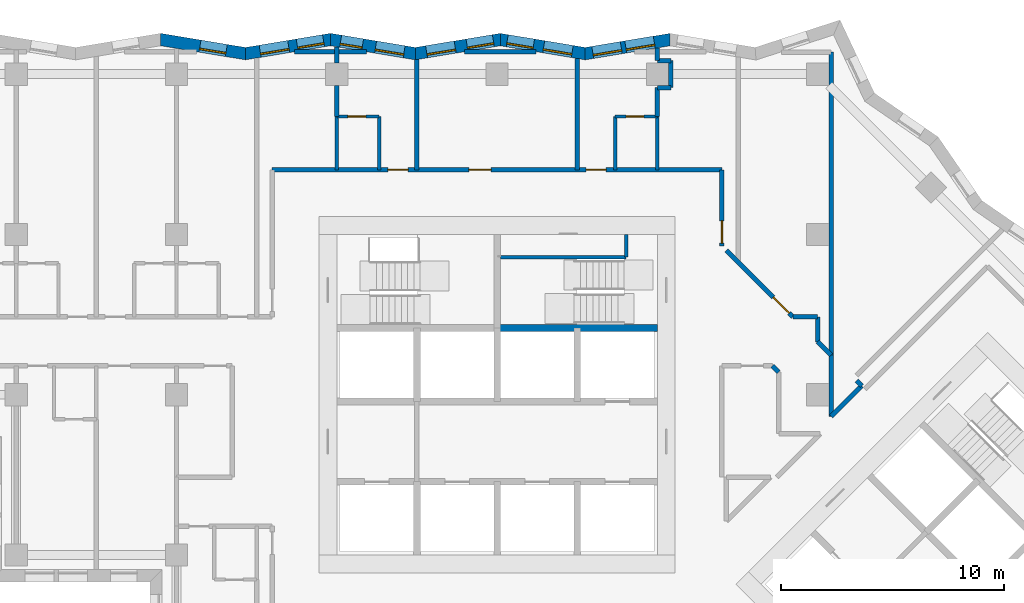
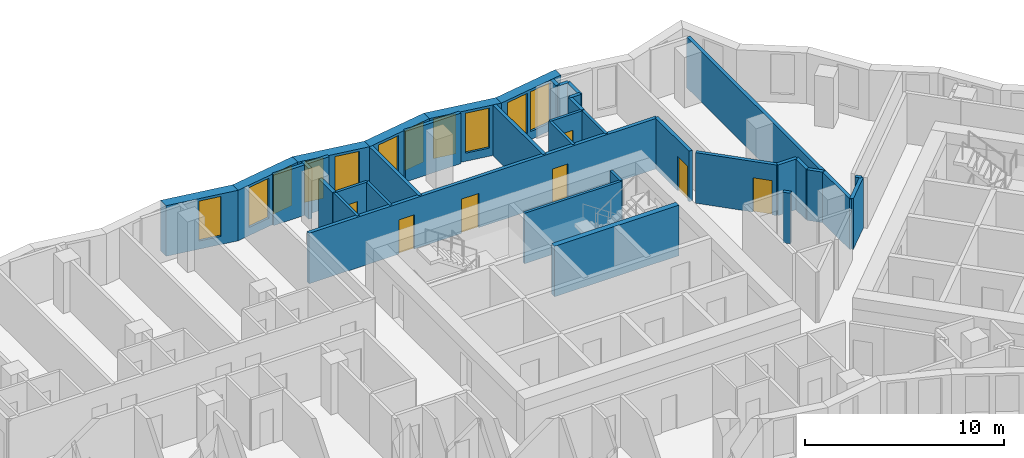
# One storey, part 7 of 14: 37 walls, 11 windows, 7 doors, 18 openings.
"""IFC4 building model written with IfcOpenShell, lengths in metres."""

from ifc_helpers import new_model, si_unit, direction, frame, frame_2d, origin, place, context, subcontext, project, spatial, polyline, rectangle, outline, extrude, material, layer, layer_set, type_object, element, fill, save


model = new_model("IFC4")

# Units and contexts
model_context = context("Model", 3, precision=1e-05, world=origin(), true_north=direction((0.0, 1.0)))
body_context = subcontext(model_context, "Body", "Model", "MODEL_VIEW")
ifc_project = project(units=[si_unit("LENGTHUNIT", "METRE"), si_unit("AREAUNIT", "SQUARE_METRE"), si_unit("VOLUMEUNIT", "CUBIC_METRE"), si_unit("PLANEANGLEUNIT", "RADIAN"), si_unit("MASSUNIT", "GRAM", prefix="KILO")], contexts=[model_context])

# Site, building, storey
site_placement = place(None, origin())
site = spatial("IfcSite", under=ifc_project, at=site_placement, CompositionType="ELEMENT")
building_placement = place(site_placement, origin())
building = spatial("IfcBuilding", under=site, at=building_placement, Name="Windrow Commons", CompositionType="ELEMENT")
storey_placement = place(building_placement, frame((0.0, 0.0, 118.6)))
storey = spatial("IfcBuildingStorey", under=building, at=storey_placement, Name="L32", CompositionType="ELEMENT", Elevation=118.6)

# Wall, openings, windows
ifc_material_1 = material(Name="Brick masonry, red clay brick", Category="masonry")
ifc_layer_1 = layer(ifc_material_1, 0.55)
ifc_layer_set_1 = layer_set([ifc_layer_1], Name="Brick facade wall 550")
wall_type_1 = type_object("IfcWallType", Name="Brick facade wall 550", PredefinedType="SOLIDWALL", material=ifc_layer_set_1)
wall_1_placement = place(storey_placement, frame((72.574, 73.5542, 0.0), z_axis=(0.0, 0.0, 1.0), x_axis=(-0.9865110911, -0.1636944324, 0.0)))
wall_1 = element("IfcWall", 1, at=wall_1_placement, inside=storey, type_object=wall_type_1, Name="Brick facade wall L32 23", PredefinedType="SOLIDWALL", context=body_context, shape_type="SweptSolid", body=[
    extrude(outline(polyline([(-0.0456, -0.275), (3.8213, -0.275), (3.9126, 0.275), (0.0456, 0.275), (-0.0456, -0.275)])), origin(), (0.0, 0.0, 1.0), 3.1),
])
opening_1_placement = place(wall_1_placement, frame((0.7244, 0.0, 0.5)))
opening_1 = element("IfcOpeningElement", 2, at=opening_1_placement, cuts=wall_1, Name="Opening W1P", PredefinedType="OPENING", context=body_context, shape_type="SweptSolid", body=[
    extrude(rectangle(XDim=1.3, YDim=2.45, at=frame_2d((0.65, 1.225))), frame((0.0, 0.285, 0.0), z_axis=(0.0, -1.0, 0.0), x_axis=(1.0, 0.0, 0.0)), (0.0, 0.0, 1.0), 0.57),
])
opening_2_placement = place(wall_1_placement, frame((2.2244, 0.0, 0.5)))
opening_2 = element("IfcOpeningElement", 3, at=opening_2_placement, cuts=wall_1, Name="Opening W1P", PredefinedType="OPENING", context=body_context, shape_type="SweptSolid", body=[
    extrude(rectangle(XDim=1.3, YDim=2.45, at=frame_2d((0.65, 1.225))), frame((0.0, 0.285, 0.0), z_axis=(0.0, -1.0, 0.0), x_axis=(1.0, 0.0, 0.0)), (0.0, 0.0, 1.0), 0.57),
])
ifc_material_2 = material(Name="Clear float glass in anodised aluminium frame", Category="aluminium")
window_type_1 = type_object("IfcWindowType", Name="Window W1P pair 1300x2450", PartitioningType="SINGLE_PANEL", PredefinedType="WINDOW", material=ifc_material_2)
window_1_placement = place(opening_1_placement, origin())
window_1 = element("IfcWindow", 4, at=window_1_placement, inside=storey, type_object=window_type_1, Name="Window L32 23.1A", OverallHeight=2.45, OverallWidth=1.3, PartitioningType="SINGLE_PANEL", PredefinedType="WINDOW", context=body_context, shape_type="SweptSolid", body=[
    extrude(rectangle(XDim=1.3, YDim=2.45, at=frame_2d((0.65, 1.225))), frame((0.0, 0.155, 0.0), z_axis=(0.0, -1.0, 0.0), x_axis=(1.0, 0.0, 0.0)), (0.0, 0.0, 1.0), 0.06),
])
fill(opening_1, window_1)
window_2_placement = place(opening_2_placement, origin())
window_2 = element("IfcWindow", 5, at=window_2_placement, inside=storey, type_object=window_type_1, Name="Window L32 23.1B", OverallHeight=2.45, OverallWidth=1.3, PartitioningType="SINGLE_PANEL", PredefinedType="WINDOW", context=body_context, shape_type="SweptSolid", body=[
    extrude(rectangle(XDim=1.3, YDim=2.45, at=frame_2d((0.65, 1.225))), frame((0.0, 0.155, 0.0), z_axis=(0.0, -1.0, 0.0), x_axis=(1.0, 0.0, 0.0)), (0.0, 0.0, 1.0), 0.06),
])
fill(opening_2, window_2)

wall_2_placement = place(storey_placement, frame((68.7592, 72.9212, 0.0), z_axis=(0.0, 0.0, 1.0), x_axis=(-0.9865110911, 0.1636944324, 0.0)))
wall_2 = element("IfcWall", 6, at=wall_2_placement, inside=storey, type_object=wall_type_1, Name="Brick facade wall L32 24", PredefinedType="SOLIDWALL", context=body_context, shape_type="SweptSolid", body=[
    extrude(outline(polyline([(0.0456, -0.275), (3.9126, -0.275), (3.8213, 0.275), (-0.0456, 0.275), (0.0456, -0.275)])), origin(), (0.0, 0.0, 1.0), 3.1),
])
opening_3_placement = place(wall_2_placement, frame((0.5927, 0.0, 0.5)))
opening_3 = element("IfcOpeningElement", 7, at=opening_3_placement, cuts=wall_2, Name="Opening W1P", PredefinedType="OPENING", context=body_context, shape_type="SweptSolid", body=[
    extrude(rectangle(XDim=1.3, YDim=2.45, at=frame_2d((0.65, 1.225))), frame((0.0, 0.285, 0.0), z_axis=(0.0, -1.0, 0.0), x_axis=(1.0, 0.0, 0.0)), (0.0, 0.0, 1.0), 0.57),
])
opening_4_placement = place(wall_2_placement, frame((2.3525, 0.0, 0.5)))
opening_4 = element("IfcOpeningElement", 8, at=opening_4_placement, cuts=wall_2, Name="Opening W7D", PredefinedType="OPENING", context=body_context, shape_type="SweptSolid", body=[
    extrude(rectangle(XDim=1.2, YDim=2.45, at=frame_2d((0.6, 1.225))), frame((0.0, 0.285, 0.0), z_axis=(0.0, -1.0, 0.0), x_axis=(1.0, 0.0, 0.0)), (0.0, 0.0, 1.0), 0.57),
])
window_3_placement = place(opening_3_placement, origin())
window_3 = element("IfcWindow", 9, at=window_3_placement, inside=storey, type_object=window_type_1, Name="Window L32 24.1A", OverallHeight=2.45, OverallWidth=1.3, PartitioningType="SINGLE_PANEL", PredefinedType="WINDOW", context=body_context, shape_type="SweptSolid", body=[
    extrude(rectangle(XDim=1.3, YDim=2.45, at=frame_2d((0.65, 1.225))), frame((0.0, 0.155, 0.0), z_axis=(0.0, -1.0, 0.0), x_axis=(1.0, 0.0, 0.0)), (0.0, 0.0, 1.0), 0.06),
])
fill(opening_3, window_3)
ifc_material_3 = material(Name="Clear float glass in anodised aluminium frame", Category="aluminium")
window_type_2 = type_object("IfcWindowType", Name="Window W7 notch 1200x2450", PartitioningType="SINGLE_PANEL", PredefinedType="WINDOW", material=ifc_material_3)
window_4_placement = place(opening_4_placement, origin())
window_4 = element("IfcWindow", 10, at=window_4_placement, inside=storey, type_object=window_type_2, Name="Window L32 24.1BA", OverallHeight=2.45, OverallWidth=1.2, PartitioningType="SINGLE_PANEL", PredefinedType="WINDOW", context=body_context, shape_type="SweptSolid", body=[
    extrude(rectangle(XDim=1.2, YDim=2.45, at=frame_2d((0.6, 1.225))), frame((0.0, 0.155, 0.0), z_axis=(0.0, -1.0, 0.0), x_axis=(1.0, 0.0, 0.0)), (0.0, 0.0, 1.0), 0.06),
])
fill(opening_4, window_4)

wall_3_placement = place(storey_placement, frame((64.9444, 73.5542, 0.0), z_axis=(0.0, 0.0, 1.0), x_axis=(-0.9865103981, -0.1636986085, 0.0)))
wall_3 = element("IfcWall", 11, at=wall_3_placement, inside=storey, type_object=wall_type_1, Name="Brick facade wall L32 25", PredefinedType="SOLIDWALL", context=body_context, shape_type="SweptSolid", body=[
    extrude(outline(polyline([(-0.0456, -0.275), (3.8213, -0.275), (3.9126, 0.275), (0.0456, 0.275), (-0.0456, -0.275)])), origin(), (0.0, 0.0, 1.0), 3.1),
])
opening_5_placement = place(wall_3_placement, frame((2.0563, 0.0, 0.5)))
opening_5 = element("IfcOpeningElement", 12, at=opening_5_placement, cuts=wall_3, Name="Opening W1P", PredefinedType="OPENING", context=body_context, shape_type="SweptSolid", body=[
    extrude(rectangle(XDim=1.3, YDim=2.45, at=frame_2d((0.65, 1.225))), frame((0.0, 0.285, 0.0), z_axis=(0.0, -1.0, 0.0), x_axis=(1.0, 0.0, 0.0)), (0.0, 0.0, 1.0), 0.57),
])
opening_6_placement = place(wall_3_placement, frame((0.3145, 0.0, 0.5)))
opening_6 = element("IfcOpeningElement", 13, at=opening_6_placement, cuts=wall_3, Name="Opening W7D", PredefinedType="OPENING", context=body_context, shape_type="SweptSolid", body=[
    extrude(rectangle(XDim=1.2, YDim=2.45, at=frame_2d((0.6, 1.225))), frame((0.0, 0.285, 0.0), z_axis=(0.0, -1.0, 0.0), x_axis=(1.0, 0.0, 0.0)), (0.0, 0.0, 1.0), 0.57),
])
window_5_placement = place(opening_5_placement, origin())
window_5 = element("IfcWindow", 14, at=window_5_placement, inside=storey, type_object=window_type_1, Name="Window L32 25.1B", OverallHeight=2.45, OverallWidth=1.3, PartitioningType="SINGLE_PANEL", PredefinedType="WINDOW", context=body_context, shape_type="SweptSolid", body=[
    extrude(rectangle(XDim=1.3, YDim=2.45, at=frame_2d((0.65, 1.225))), frame((0.0, 0.155, 0.0), z_axis=(0.0, -1.0, 0.0), x_axis=(1.0, 0.0, 0.0)), (0.0, 0.0, 1.0), 0.06),
])
fill(opening_5, window_5)
window_6_placement = place(opening_6_placement, origin())
window_6 = element("IfcWindow", 15, at=window_6_placement, inside=storey, type_object=window_type_2, Name="Window L32 25.1AA", OverallHeight=2.45, OverallWidth=1.2, PartitioningType="SINGLE_PANEL", PredefinedType="WINDOW", context=body_context, shape_type="SweptSolid", body=[
    extrude(rectangle(XDim=1.2, YDim=2.45, at=frame_2d((0.6, 1.225))), frame((0.0, 0.155, 0.0), z_axis=(0.0, -1.0, 0.0), x_axis=(1.0, 0.0, 0.0)), (0.0, 0.0, 1.0), 0.06),
])
fill(opening_6, window_6)

wall_4_placement = place(storey_placement, frame((61.1297, 72.9212, 0.0), z_axis=(0.0, 0.0, 1.0), x_axis=(-0.9865110911, 0.1636944324, 0.0)))
wall_4 = element("IfcWall", 16, at=wall_4_placement, inside=storey, type_object=wall_type_1, Name="Brick facade wall L32 26", PredefinedType="SOLIDWALL", context=body_context, shape_type="SweptSolid", body=[
    extrude(outline(polyline([(0.0456, -0.275), (3.9126, -0.275), (3.8213, 0.275), (-0.0456, 0.275), (0.0456, -0.275)])), origin(), (0.0, 0.0, 1.0), 3.1),
])
opening_7_placement = place(wall_4_placement, frame((0.5107, 0.0, 0.5)))
opening_7 = element("IfcOpeningElement", 17, at=opening_7_placement, cuts=wall_4, Name="Opening W1P", PredefinedType="OPENING", context=body_context, shape_type="SweptSolid", body=[
    extrude(rectangle(XDim=1.3, YDim=2.45, at=frame_2d((0.65, 1.225))), frame((0.0, 0.285, 0.0), z_axis=(0.0, -1.0, 0.0), x_axis=(1.0, 0.0, 0.0)), (0.0, 0.0, 1.0), 0.57),
])
opening_8_placement = place(wall_4_placement, frame((2.4025, 0.0, 0.45)))
opening_8 = element("IfcOpeningElement", 18, at=opening_8_placement, cuts=wall_4, Name="Opening W1S", PredefinedType="OPENING", context=body_context, shape_type="SweptSolid", body=[
    extrude(rectangle(XDim=1.0, YDim=2.5, at=frame_2d((0.5, 1.25))), frame((0.0, 0.285, 0.0), z_axis=(0.0, -1.0, 0.0), x_axis=(1.0, 0.0, 0.0)), (0.0, 0.0, 1.0), 0.57),
])
window_7_placement = place(opening_7_placement, origin())
window_7 = element("IfcWindow", 19, at=window_7_placement, inside=storey, type_object=window_type_1, Name="Window L32 26.1A", OverallHeight=2.45, OverallWidth=1.3, PartitioningType="SINGLE_PANEL", PredefinedType="WINDOW", context=body_context, shape_type="SweptSolid", body=[
    extrude(rectangle(XDim=1.3, YDim=2.45, at=frame_2d((0.65, 1.225))), frame((0.0, 0.155, 0.0), z_axis=(0.0, -1.0, 0.0), x_axis=(1.0, 0.0, 0.0)), (0.0, 0.0, 1.0), 0.06),
])
fill(opening_7, window_7)
ifc_material_4 = material(Name="Clear float glass in anodised aluminium frame", Category="aluminium")
window_type_3 = type_object("IfcWindowType", Name="Window W1S slit 1000x2500", PartitioningType="SINGLE_PANEL", PredefinedType="WINDOW", material=ifc_material_4)
window_8_placement = place(opening_8_placement, origin())
window_8 = element("IfcWindow", 20, at=window_8_placement, inside=storey, type_object=window_type_3, Name="Window L32 26.1BA", OverallHeight=2.5, OverallWidth=1.0, PartitioningType="SINGLE_PANEL", PredefinedType="WINDOW", context=body_context, shape_type="SweptSolid", body=[
    extrude(rectangle(XDim=1.0, YDim=2.5, at=frame_2d((0.5, 1.25))), frame((0.0, 0.155, 0.0), z_axis=(0.0, -1.0, 0.0), x_axis=(1.0, 0.0, 0.0)), (0.0, 0.0, 1.0), 0.06),
])
fill(opening_8, window_8)

wall_5_placement = place(storey_placement, frame((57.3149, 73.5542, 0.0), z_axis=(0.0, 0.0, 1.0), x_axis=(-0.9865110911, -0.1636944324, 0.0)))
wall_5 = element("IfcWall", 21, at=wall_5_placement, inside=storey, type_object=wall_type_1, Name="Brick facade wall L32 27", PredefinedType="SOLIDWALL", context=body_context, shape_type="SweptSolid", body=[
    extrude(outline(polyline([(-0.0456, -0.275), (3.8213, -0.275), (3.9126, 0.275), (0.0456, 0.275), (-0.0456, -0.275)])), origin(), (0.0, 0.0, 1.0), 3.1),
])
opening_9_placement = place(wall_5_placement, frame((1.9029, 0.0, 0.5)))
opening_9 = element("IfcOpeningElement", 22, at=opening_9_placement, cuts=wall_5, Name="Opening W1P", PredefinedType="OPENING", context=body_context, shape_type="SweptSolid", body=[
    extrude(rectangle(XDim=1.3, YDim=2.45, at=frame_2d((0.65, 1.225))), frame((0.0, 0.285, 0.0), z_axis=(0.0, -1.0, 0.0), x_axis=(1.0, 0.0, 0.0)), (0.0, 0.0, 1.0), 0.57),
])
opening_10_placement = place(wall_5_placement, frame((0.3145, 0.0, 0.5)))
opening_10 = element("IfcOpeningElement", 23, at=opening_10_placement, cuts=wall_5, Name="Opening W7D", PredefinedType="OPENING", context=body_context, shape_type="SweptSolid", body=[
    extrude(rectangle(XDim=1.2, YDim=2.45, at=frame_2d((0.6, 1.225))), frame((0.0, 0.285, 0.0), z_axis=(0.0, -1.0, 0.0), x_axis=(1.0, 0.0, 0.0)), (0.0, 0.0, 1.0), 0.57),
])
window_9_placement = place(opening_9_placement, origin())
window_9 = element("IfcWindow", 24, at=window_9_placement, inside=storey, type_object=window_type_1, Name="Window L32 27.1B", OverallHeight=2.45, OverallWidth=1.3, PartitioningType="SINGLE_PANEL", PredefinedType="WINDOW", context=body_context, shape_type="SweptSolid", body=[
    extrude(rectangle(XDim=1.3, YDim=2.45, at=frame_2d((0.65, 1.225))), frame((0.0, 0.155, 0.0), z_axis=(0.0, -1.0, 0.0), x_axis=(1.0, 0.0, 0.0)), (0.0, 0.0, 1.0), 0.06),
])
fill(opening_9, window_9)
window_10_placement = place(opening_10_placement, origin())
window_10 = element("IfcWindow", 25, at=window_10_placement, inside=storey, type_object=window_type_2, Name="Window L32 27.1AA", OverallHeight=2.45, OverallWidth=1.2, PartitioningType="SINGLE_PANEL", PredefinedType="WINDOW", context=body_context, shape_type="SweptSolid", body=[
    extrude(rectangle(XDim=1.2, YDim=2.45, at=frame_2d((0.6, 1.225))), frame((0.0, 0.155, 0.0), z_axis=(0.0, -1.0, 0.0), x_axis=(1.0, 0.0, 0.0)), (0.0, 0.0, 1.0), 0.06),
])
fill(opening_10, window_10)

# Wall, opening, window
wall_6_placement = place(storey_placement, frame((53.5001, 72.9212, 0.0), z_axis=(0.0, 0.0, 1.0), x_axis=(-0.9865110911, 0.1636944324, 0.0)))
wall_6 = element("IfcWall", 26, at=wall_6_placement, inside=storey, type_object=wall_type_1, Name="Brick facade wall L32 28", PredefinedType="SOLIDWALL", context=body_context, shape_type="SweptSolid", body=[
    extrude(outline(polyline([(0.0456, -0.275), (3.9126, -0.275), (3.8213, 0.275), (-0.0456, 0.275), (0.0456, -0.275)])), origin(), (0.0, 0.0, 1.0), 3.1),
])
opening_11_placement = place(wall_6_placement, frame((0.8712, 0.0, 0.5)))
opening_11 = element("IfcOpeningElement", 27, at=opening_11_placement, cuts=wall_6, Name="Opening W7D", PredefinedType="OPENING", context=body_context, shape_type="SweptSolid", body=[
    extrude(rectangle(XDim=1.2, YDim=2.45, at=frame_2d((0.6, 1.225))), frame((0.0, 0.285, 0.0), z_axis=(0.0, -1.0, 0.0), x_axis=(1.0, 0.0, 0.0)), (0.0, 0.0, 1.0), 0.57),
])
window_11_placement = place(opening_11_placement, origin())
window_11 = element("IfcWindow", 28, at=window_11_placement, inside=storey, type_object=window_type_2, Name="Window L32 28.1", OverallHeight=2.45, OverallWidth=1.2, PartitioningType="SINGLE_PANEL", PredefinedType="WINDOW", context=body_context, shape_type="SweptSolid", body=[
    extrude(rectangle(XDim=1.2, YDim=2.45, at=frame_2d((0.6, 1.225))), frame((0.0, 0.155, 0.0), z_axis=(0.0, -1.0, 0.0), x_axis=(1.0, 0.0, 0.0)), (0.0, 0.0, 1.0), 0.06),
])
fill(opening_11, window_11)

# Wall, openings, doors
ifc_material_5 = material(Name="Blockwork partition", Category="masonry")
ifc_layer_2 = layer(ifc_material_5, 0.2)
ifc_layer_set_2 = layer_set([ifc_layer_2], Name="IW-CORRIDOR-200")
wall_type_2 = type_object("IfcWallType", Name="IW-CORRIDOR-200", PredefinedType="PARTITIONING", material=ifc_layer_set_2)
wall_7_placement = place(storey_placement, frame((54.7, 67.7, 0.0), z_axis=(0.0, 0.0, 1.0), x_axis=(1.0, 0.0, 0.0)))
wall_7 = element("IfcWall", 29, at=wall_7_placement, inside=storey, type_object=wall_type_2, Name="W-L32-W002", PredefinedType="PARTITIONING", context=body_context, shape_type="SweptSolid", body=[
    extrude(rectangle(XDim=20.2, YDim=0.2, at=frame_2d((10.1, 0.0))), origin(), (0.0, 0.0, 1.0), 3.1),
])
opening_12_placement = place(wall_7_placement, frame((5.2, 0.0, 0.0)))
opening_12 = element("IfcOpeningElement", 30, at=opening_12_placement, cuts=wall_7, Name="Opening D109S", PredefinedType="OPENING", context=body_context, shape_type="SweptSolid", body=[
    extrude(rectangle(XDim=0.9, YDim=2.1, at=frame_2d((0.45, 1.05))), frame((0.0, 0.11, 0.0), z_axis=(0.0, -1.0, 0.0), x_axis=(1.0, 0.0, 0.0)), (0.0, 0.0, 1.0), 0.22),
])
opening_13_placement = place(wall_7_placement, frame((8.8375, 0.0, 0.0)))
opening_13 = element("IfcOpeningElement", 31, at=opening_13_placement, cuts=wall_7, Name="Opening D310F", PredefinedType="OPENING", context=body_context, shape_type="SweptSolid", body=[
    extrude(rectangle(XDim=1.0, YDim=2.1, at=frame_2d((0.5, 1.05))), frame((0.0, 0.11, 0.0), z_axis=(0.0, -1.0, 0.0), x_axis=(1.0, 0.0, 0.0)), (0.0, 0.0, 1.0), 0.22),
])
opening_14_placement = place(wall_7_placement, frame((14.1, 0.0, 0.0)))
opening_14 = element("IfcOpeningElement", 32, at=opening_14_placement, cuts=wall_7, Name="Opening D109S", PredefinedType="OPENING", context=body_context, shape_type="SweptSolid", body=[
    extrude(rectangle(XDim=0.9, YDim=2.1, at=frame_2d((0.45, 1.05))), frame((0.0, 0.11, 0.0), z_axis=(0.0, -1.0, 0.0), x_axis=(1.0, 0.0, 0.0)), (0.0, 0.0, 1.0), 0.22),
])
ifc_material_6 = material(Name="Timber door leaf", Category="wood")
door_type_1 = type_object("IfcDoorType", Name="DT-AMENITY-1000", OperationType="SINGLE_SWING_LEFT", PredefinedType="DOOR", material=ifc_material_6)
door_1_placement = place(opening_13_placement, origin())
door_1 = element("IfcDoor", 33, at=door_1_placement, inside=storey, type_object=door_type_1, Name="D-L32-D040", OperationType="SINGLE_SWING_LEFT", OverallHeight=2.1, OverallWidth=1.0, PredefinedType="DOOR", context=body_context, shape_type="SweptSolid", body=[
    extrude(rectangle(XDim=1.0, YDim=2.1, at=frame_2d((0.5, 1.05))), frame((0.0, 0.025, 0.0), z_axis=(0.0, -1.0, 0.0), x_axis=(1.0, 0.0, 0.0)), (0.0, 0.0, 1.0), 0.05),
])
fill(opening_13, door_1)
ifc_material_7 = material(Name="Timber door leaf", Category="wood")
door_type_2 = type_object("IfcDoorType", Name="DT-BEDROOM-900", OperationType="SINGLE_SWING_LEFT", PredefinedType="DOOR", material=ifc_material_7)
door_2_placement = place(opening_12_placement, origin())
door_2 = element("IfcDoor", 34, at=door_2_placement, inside=storey, type_object=door_type_2, Name="D-L32-D038", OperationType="SINGLE_SWING_RIGHT", OverallHeight=2.1, OverallWidth=0.9, PredefinedType="DOOR", context=body_context, shape_type="SweptSolid", body=[
    extrude(rectangle(XDim=0.9, YDim=2.1, at=frame_2d((0.45, 1.05))), frame((0.0, 0.025, 0.0), z_axis=(0.0, -1.0, 0.0), x_axis=(1.0, 0.0, 0.0)), (0.0, 0.0, 1.0), 0.05),
])
fill(opening_12, door_2)
door_3_placement = place(opening_14_placement, origin())
door_3 = element("IfcDoor", 35, at=door_3_placement, inside=storey, type_object=door_type_2, Name="D-L32-D041", OperationType="SINGLE_SWING_LEFT", OverallHeight=2.1, OverallWidth=0.9, PredefinedType="DOOR", context=body_context, shape_type="SweptSolid", body=[
    extrude(rectangle(XDim=0.9, YDim=2.1, at=frame_2d((0.45, 1.05))), frame((0.0, 0.025, 0.0), z_axis=(0.0, -1.0, 0.0), x_axis=(1.0, 0.0, 0.0)), (0.0, 0.0, 1.0), 0.05),
])
fill(opening_14, door_3)

# Wall, opening, door
wall_8_placement = place(storey_placement, frame((75.1034, 64.0834, 0.0), z_axis=(0.0, 0.0, 1.0), x_axis=(0.7071067812, -0.7071067812, 0.0)))
wall_8 = element("IfcWall", 36, at=wall_8_placement, inside=storey, type_object=wall_type_2, Name="W-L32-W049", PredefinedType="PARTITIONING", context=body_context, shape_type="SweptSolid", body=[
    extrude(rectangle(XDim=4.2144, YDim=0.2, at=frame_2d((2.1072, 0.0))), origin(), (0.0, 0.0, 1.0), 3.1),
])
opening_15_placement = place(wall_8_placement, frame((2.9794, 0.0, 0.0)))
opening_15 = element("IfcOpeningElement", 37, at=opening_15_placement, cuts=wall_8, Name="Opening D310F", PredefinedType="OPENING", context=body_context, shape_type="SweptSolid", body=[
    extrude(rectangle(XDim=1.0, YDim=2.1, at=frame_2d((0.5, 1.05))), frame((0.0, 0.11, 0.0), z_axis=(0.0, -1.0, 0.0), x_axis=(1.0, 0.0, 0.0)), (0.0, 0.0, 1.0), 0.22),
])
door_4_placement = place(opening_15_placement, origin())
door_4 = element("IfcDoor", 38, at=door_4_placement, inside=storey, type_object=door_type_1, Name="D-L32-D044", OperationType="SINGLE_SWING_LEFT", OverallHeight=2.1, OverallWidth=1.0, PredefinedType="DOOR", context=body_context, shape_type="SweptSolid", body=[
    extrude(rectangle(XDim=1.0, YDim=2.1, at=frame_2d((0.5, 1.05))), frame((0.0, 0.025, 0.0), z_axis=(0.0, -1.0, 0.0), x_axis=(1.0, 0.0, 0.0)), (0.0, 0.0, 1.0), 0.05),
])
fill(opening_15, door_4)

wall_9_placement = place(storey_placement, frame((74.9, 64.28, 0.0), z_axis=(0.0, 0.0, 1.0), x_axis=(0.0, 1.0, 0.0)))
wall_9 = element("IfcWall", 39, at=wall_9_placement, inside=storey, type_object=wall_type_2, Name="W-L32-W056", PredefinedType="PARTITIONING", context=body_context, shape_type="SweptSolid", body=[
    extrude(rectangle(XDim=3.42, YDim=0.2, at=frame_2d((1.71, 0.0))), origin(), (0.0, 0.0, 1.0), 3.1),
])
opening_16_placement = place(wall_9_placement, frame((0.1296, 0.0, 0.0)))
opening_16 = element("IfcOpeningElement", 40, at=opening_16_placement, cuts=wall_9, Name="Opening D310F", PredefinedType="OPENING", context=body_context, shape_type="SweptSolid", body=[
    extrude(rectangle(XDim=1.0, YDim=2.1, at=frame_2d((0.5, 1.05))), frame((0.0, 0.11, 0.0), z_axis=(0.0, -1.0, 0.0), x_axis=(1.0, 0.0, 0.0)), (0.0, 0.0, 1.0), 0.22),
])
door_5_placement = place(opening_16_placement, origin())
door_5 = element("IfcDoor", 41, at=door_5_placement, inside=storey, type_object=door_type_1, Name="D-L32-D043", OperationType="SINGLE_SWING_RIGHT", OverallHeight=2.1, OverallWidth=1.0, PredefinedType="DOOR", context=body_context, shape_type="SweptSolid", body=[
    extrude(rectangle(XDim=1.0, YDim=2.1, at=frame_2d((0.5, 1.05))), frame((0.0, 0.025, 0.0), z_axis=(0.0, -1.0, 0.0), x_axis=(1.0, 0.0, 0.0)), (0.0, 0.0, 1.0), 0.05),
])
fill(opening_16, door_5)

# Walls
wall_10_placement = place(storey_placement, frame((79.8, 56.622, 0.0), z_axis=(0.0, 0.0, 1.0), x_axis=(0.0, 1.0, 0.0)))
element("IfcWall", 42, at=wall_10_placement, inside=storey, type_object=wall_type_2, Name="W-L32-W076", PredefinedType="PARTITIONING", context=body_context, shape_type="SweptSolid", body=[
    extrude(rectangle(XDim=2.758, YDim=0.2, at=frame_2d((1.379, 0.0))), origin(), (0.0, 0.0, 1.0), 3.1),
])
wall_11_placement = place(storey_placement, frame((79.8015, 56.6225, 0.0), z_axis=(0.0, 0.0, 1.0), x_axis=(0.7071067812, 0.7071067812, 0.0)))
element("IfcWall", 43, at=wall_11_placement, inside=storey, type_object=wall_type_2, Name="W-L32-W137", PredefinedType="PARTITIONING", context=body_context, shape_type="SweptSolid", body=[
    extrude(rectangle(XDim=1.9488, YDim=0.2, at=frame_2d((0.9744, 0.0))), origin(), (0.0, 0.0, 1.0), 3.1),
])
for number, where, z_axis, x_axis, name in (
    (44, (78.08, 61.1, 0.0), (0.0, 0.0, 1.0), (1.0, 0.0, 0.0), "W-L32-W167"),
    (45, (79.2, 59.98, 0.0), (0.0, 0.0, 1.0), (0.0, 1.0, 0.0), "W-L32-W168"),
):
    element("IfcWall", number, at=place(storey_placement, frame(where, z_axis=z_axis, x_axis=x_axis)), inside=storey, type_object=wall_type_2, Name=name, PredefinedType="PARTITIONING", context=body_context, shape_type="SweptSolid", body=[
        extrude(rectangle(XDim=1.12, YDim=0.2, at=frame_2d((0.56, 0.0))), origin(), (0.0, 0.0, 1.0), 3.1),
    ])
wall_12_placement = place(storey_placement, frame((79.2034, 59.9834, 0.0), z_axis=(0.0, 0.0, 1.0), x_axis=(0.7071067812, -0.7071067812, 0.0)))
element("IfcWall", 46, at=wall_12_placement, inside=storey, type_object=wall_type_2, Name="W-L32-W171", PredefinedType="PARTITIONING", context=body_context, shape_type="SweptSolid", body=[
    extrude(rectangle(XDim=0.8485, YDim=0.2, at=frame_2d((0.4243, 0.0))), origin(), (0.0, 0.0, 1.0), 3.1),
])
wall_13_placement = place(storey_placement, frame((77.1647, 58.8967, 0.0), z_axis=(0.0, 0.0, 1.0), x_axis=(0.7071067812, -0.7071067812, 0.0)))
element("IfcWall", 47, at=wall_13_placement, inside=storey, type_object=wall_type_2, Name="W-L32-W212", PredefinedType="PARTITIONING", context=body_context, shape_type="SweptSolid", body=[
    extrude(rectangle(XDim=0.3988, YDim=0.2, at=frame_2d((0.1994, 0.0))), origin(), (0.0, 0.0, 1.0), 3.1),
])
ifc_material_8 = material(Name="Blockwork partition", Category="masonry")
ifc_layer_3 = layer(ifc_material_8, 0.15)
ifc_layer_set_3 = layer_set([ifc_layer_3], Name="IW-ENSUITE-150")
wall_type_3 = type_object("IfcWallType", Name="IW-ENSUITE-150", PredefinedType="PARTITIONING", material=ifc_layer_set_3)
for number, where, z_axis, x_axis, name in (
    (48, (59.5, 67.7, 0.0), (0.0, 0.0, 1.0), (0.0, 1.0, 0.0), "W-L32-W109"),
    (49, (57.6, 67.7, 0.0), (0.0, 0.0, 1.0), (0.0, 1.0, 0.0), "W-L32-W110"),
    (50, (70.1, 67.7, 0.0), (0.0, 0.0, 1.0), (0.0, 1.0, 0.0), "W-L32-W111"),
    (51, (72.0, 67.7, 0.0), (0.0, 0.0, 1.0), (0.0, 1.0, 0.0), "W-L32-W112"),
):
    element("IfcWall", number, at=place(storey_placement, frame(where, z_axis=z_axis, x_axis=x_axis)), inside=storey, type_object=wall_type_3, Name=name, PredefinedType="PARTITIONING", context=body_context, shape_type="SweptSolid", body=[
        extrude(rectangle(XDim=2.4, YDim=0.15, at=frame_2d((1.2, 0.0))), origin(), (0.0, 0.0, 1.0), 3.1),
    ])

# Wall, opening, door
wall_14_placement = place(storey_placement, frame((70.1, 70.1, 0.0), z_axis=(0.0, 0.0, 1.0), x_axis=(1.0, 0.0, 0.0)))
wall_14 = element("IfcWall", 52, at=wall_14_placement, inside=storey, type_object=wall_type_3, Name="W-L32-W142", PredefinedType="PARTITIONING", context=body_context, shape_type="SweptSolid", body=[
    extrude(rectangle(XDim=1.9, YDim=0.15, at=frame_2d((0.95, 0.0))), origin(), (0.0, 0.0, 1.0), 3.1),
])
opening_17_placement = place(wall_14_placement, frame((0.4931, 0.0, 0.0)))
opening_17 = element("IfcOpeningElement", 53, at=opening_17_placement, cuts=wall_14, Name="Opening D208N", PredefinedType="OPENING", context=body_context, shape_type="SweptSolid", body=[
    extrude(rectangle(XDim=0.8, YDim=2.1, at=frame_2d((0.4, 1.05))), frame((0.0, 0.085, 0.0), z_axis=(0.0, -1.0, 0.0), x_axis=(1.0, 0.0, 0.0)), (0.0, 0.0, 1.0), 0.17),
])
ifc_material_9 = material(Name="Timber door leaf", Category="wood")
door_type_3 = type_object("IfcDoorType", Name="DT-ENSUITE-800", OperationType="SINGLE_SWING_LEFT", PredefinedType="DOOR", material=ifc_material_9)
door_6_placement = place(opening_17_placement, origin())
door_6 = element("IfcDoor", 54, at=door_6_placement, inside=storey, type_object=door_type_3, Name="D-L32-D042", OperationType="SINGLE_SWING_RIGHT", OverallHeight=2.1, OverallWidth=0.8, PredefinedType="DOOR", context=body_context, shape_type="SweptSolid", body=[
    extrude(rectangle(XDim=0.8, YDim=2.1, at=frame_2d((0.4, 1.05))), frame((0.0, 0.025, 0.0), z_axis=(0.0, -1.0, 0.0), x_axis=(1.0, 0.0, 0.0)), (0.0, 0.0, 1.0), 0.05),
])
fill(opening_17, door_6)

wall_15_placement = place(storey_placement, frame((57.6, 70.1, 0.0), z_axis=(0.0, 0.0, 1.0), x_axis=(1.0, 0.0, 0.0)))
wall_15 = element("IfcWall", 55, at=wall_15_placement, inside=storey, type_object=wall_type_3, Name="W-L32-W149", PredefinedType="PARTITIONING", context=body_context, shape_type="SweptSolid", body=[
    extrude(rectangle(XDim=1.9, YDim=0.15, at=frame_2d((0.95, 0.0))), origin(), (0.0, 0.0, 1.0), 3.1),
])
opening_18_placement = place(wall_15_placement, frame((0.5021, 0.0, 0.0)))
opening_18 = element("IfcOpeningElement", 56, at=opening_18_placement, cuts=wall_15, Name="Opening D208N", PredefinedType="OPENING", context=body_context, shape_type="SweptSolid", body=[
    extrude(rectangle(XDim=0.8, YDim=2.1, at=frame_2d((0.4, 1.05))), frame((0.0, 0.085, 0.0), z_axis=(0.0, -1.0, 0.0), x_axis=(1.0, 0.0, 0.0)), (0.0, 0.0, 1.0), 0.17),
])
door_7_placement = place(opening_18_placement, origin())
door_7 = element("IfcDoor", 57, at=door_7_placement, inside=storey, type_object=door_type_3, Name="D-L32-D039", OperationType="SINGLE_SWING_RIGHT", OverallHeight=2.1, OverallWidth=0.8, PredefinedType="DOOR", context=body_context, shape_type="SweptSolid", body=[
    extrude(rectangle(XDim=0.8, YDim=2.1, at=frame_2d((0.4, 1.05))), frame((0.0, 0.025, 0.0), z_axis=(0.0, -1.0, 0.0), x_axis=(1.0, 0.0, 0.0)), (0.0, 0.0, 1.0), 0.05),
])
fill(opening_18, door_7)

# Walls
ifc_material_10 = material(Name="Blockwork partition", Category="masonry")
ifc_layer_4 = layer(ifc_material_10, 0.2)
ifc_layer_set_4 = layer_set([ifc_layer_4], Name="IW-PARTY-200")
wall_type_4 = type_object("IfcWallType", Name="IW-PARTY-200", PredefinedType="PARTITIONING", material=ifc_layer_set_4)
wall_16_placement = place(storey_placement, frame((79.8, 59.38, 0.0), z_axis=(0.0, 0.0, 1.0), x_axis=(0.0, 1.0, 0.0)))
element("IfcWall", 58, at=wall_16_placement, inside=storey, type_object=wall_type_4, Name="W-L32-W004", PredefinedType="PARTITIONING", context=body_context, shape_type="SweptSolid", body=[
    extrude(rectangle(XDim=13.62, YDim=0.2, at=frame_2d((6.81, 0.0))), origin(), (0.0, 0.0, 1.0), 3.1),
])
wall_17_placement = place(storey_placement, frame((68.4, 67.7, 0.0), z_axis=(0.0, 0.0, 1.0), x_axis=(0.0, 1.0, 0.0)))
element("IfcWall", 59, at=wall_17_placement, inside=storey, type_object=wall_type_4, Name="W-L32-W042", PredefinedType="PARTITIONING", context=body_context, shape_type="SweptSolid", body=[
    extrude(rectangle(XDim=5.0021, YDim=0.2, at=frame_2d((2.5011, 0.0))), origin(), (0.0, 0.0, 1.0), 3.1),
])
wall_18_placement = place(storey_placement, frame((61.2, 67.7, 0.0), z_axis=(0.0, 0.0, 1.0), x_axis=(0.0, 1.0, 0.0)))
element("IfcWall", 60, at=wall_18_placement, inside=storey, type_object=wall_type_4, Name="W-L32-W044", PredefinedType="PARTITIONING", context=body_context, shape_type="SweptSolid", body=[
    extrude(rectangle(XDim=4.9542, YDim=0.2, at=frame_2d((2.4771, 0.0))), origin(), (0.0, 0.0, 1.0), 3.1),
])
for number, where, z_axis, x_axis, name in (
    (61, (55.7047, 73.0, 0.0), (0.0, 0.0, 1.0), (1.0, 0.0, 0.0), "W-L32-W060"),
    (62, (63.3343, 73.0, 0.0), (0.0, 0.0, 1.0), (1.0, 0.0, 0.0), "W-L32-W061"),
):
    element("IfcWall", number, at=place(storey_placement, frame(where, z_axis=z_axis, x_axis=x_axis)), inside=storey, type_object=wall_type_4, Name=name, PredefinedType="PARTITIONING", context=body_context, shape_type="SweptSolid", body=[
        extrude(rectangle(XDim=3.2203, YDim=0.2, at=frame_2d((1.6101, 0.0))), origin(), (0.0, 0.0, 1.0), 3.1),
    ])
wall_19_placement = place(storey_placement, frame((57.6, 70.1, 0.0), z_axis=(0.0, 0.0, 1.0), x_axis=(0.0, 1.0, 0.0)))
element("IfcWall", 63, at=wall_19_placement, inside=storey, type_object=wall_type_4, Name="W-L32-W160", PredefinedType="PARTITIONING", context=body_context, shape_type="SweptSolid", body=[
    extrude(rectangle(XDim=1.4, YDim=0.2, at=frame_2d((0.7, 0.0))), origin(), (0.0, 0.0, 1.0), 3.1),
])
wall_20_placement = place(storey_placement, frame((72.0, 70.1, 0.0), z_axis=(0.0, 0.0, 1.0), x_axis=(0.0, 1.0, 0.0)))
element("IfcWall", 64, at=wall_20_placement, inside=storey, type_object=wall_type_4, Name="W-L32-W164", PredefinedType="PARTITIONING", context=body_context, shape_type="SweptSolid", body=[
    extrude(rectangle(XDim=1.296, YDim=0.2, at=frame_2d((0.648, 0.0))), origin(), (0.0, 0.0, 1.0), 3.1),
])
wall_21_placement = place(storey_placement, frame((72.6, 71.396, 0.0), z_axis=(0.0, 0.0, 1.0), x_axis=(0.0, 1.0, 0.0)))
element("IfcWall", 65, at=wall_21_placement, inside=storey, type_object=wall_type_4, Name="W-L32-W165", PredefinedType="PARTITIONING", context=body_context, shape_type="SweptSolid", body=[
    extrude(rectangle(XDim=1.208, YDim=0.2, at=frame_2d((0.604, 0.0))), origin(), (0.0, 0.0, 1.0), 3.1),
])
for number, where, z_axis, x_axis, name in (
    (66, (72.0, 72.6, 0.0), (0.0, 0.0, 1.0), (1.0, 0.0, 0.0), "W-L32-W188"),
    (67, (72.0, 71.4, 0.0), (0.0, 0.0, 1.0), (1.0, 0.0, 0.0), "W-L32-W189"),
):
    element("IfcWall", number, at=place(storey_placement, frame(where, z_axis=z_axis, x_axis=x_axis)), inside=storey, type_object=wall_type_4, Name=name, PredefinedType="PARTITIONING", context=body_context, shape_type="SweptSolid", body=[
        extrude(rectangle(XDim=0.6, YDim=0.2, at=frame_2d((0.3, 0.0))), origin(), (0.0, 0.0, 1.0), 3.1),
    ])
wall_22_placement = place(storey_placement, frame((57.6, 72.5, 0.0), z_axis=(0.0, 0.0, 1.0), x_axis=(0.0, 1.0, 0.0)))
element("IfcWall", 68, at=wall_22_placement, inside=storey, type_object=wall_type_4, Name="W-L32-W200", PredefinedType="PARTITIONING", context=body_context, shape_type="SweptSolid", body=[
    extrude(rectangle(XDim=0.7282, YDim=0.2, at=frame_2d((0.3641, 0.0))), origin(), (0.0, 0.0, 1.0), 3.1),
])
wall_23_placement = place(storey_placement, frame((72.0, 72.604, 0.0), z_axis=(0.0, 0.0, 1.0), x_axis=(0.0, 1.0, 0.0)))
element("IfcWall", 69, at=wall_23_placement, inside=storey, type_object=wall_type_4, Name="W-L32-W213", PredefinedType="PARTITIONING", context=body_context, shape_type="SweptSolid", body=[
    extrude(rectangle(XDim=0.5762, YDim=0.2, at=frame_2d((0.2881, 0.0))), origin(), (0.0, 0.0, 1.0), 3.1),
])
wall_24_placement = place(storey_placement, frame((80.9534, 58.2334, 0.0), z_axis=(0.0, 0.0, 1.0), x_axis=(0.7071067812, -0.7071067812, 0.0)))
element("IfcWall", 70, at=wall_24_placement, inside=storey, type_object=wall_type_4, Name="W-L32-W215", PredefinedType="PARTITIONING", context=body_context, shape_type="SweptSolid", body=[
    extrude(rectangle(XDim=0.3253, YDim=0.2, at=frame_2d((0.1626, 0.0))), origin(), (0.0, 0.0, 1.0), 3.1),
])
ifc_material_11 = material(Name="Concrete C50/60", Category="concrete")
ifc_layer_5 = layer(ifc_material_11, 0.3)
ifc_layer_set_5 = layer_set([ifc_layer_5], Name="RC SHAFT WALL 300 C50/60")
wall_type_5 = type_object("IfcWallType", Name="RC SHAFT WALL 300 C50/60", PredefinedType="SOLIDWALL", material=ifc_layer_set_5)
wall_25_placement = place(storey_placement, frame((64.8, 60.6, 0.0), z_axis=(0.0, 0.0, 1.0), x_axis=(1.0, 0.0, 0.0)))
element("IfcWall", 71, at=wall_25_placement, inside=storey, type_object=wall_type_5, Name="Core A wall stair-S2", PredefinedType="SOLIDWALL", context=body_context, shape_type="SweptSolid", body=[
    extrude(rectangle(XDim=7.2, YDim=0.3, at=frame_2d((3.6, 0.0))), origin(), (0.0, 0.0, 1.0), 3.1),
])
ifc_material_12 = material(Name="Blockwork partition", Category="masonry")
ifc_layer_6 = layer(ifc_material_12, 0.15)
ifc_layer_set_6 = layer_set([ifc_layer_6], Name="Riser partition 150")
wall_type_6 = type_object("IfcWallType", Name="Riser partition 150", PredefinedType="PARTITIONING", material=ifc_layer_set_6)
wall_26_placement = place(storey_placement, frame((64.95, 63.78, 0.0), z_axis=(0.0, 0.0, 1.0), x_axis=(1.0, 0.0, 0.0)))
element("IfcWall", 72, at=wall_26_placement, inside=storey, type_object=wall_type_6, Name="W-core-strip-A-L32", PredefinedType="PARTITIONING", context=body_context, shape_type="SweptSolid", body=[
    extrude(rectangle(XDim=5.65, YDim=0.15, at=frame_2d((2.825, 0.0))), origin(), (0.0, 0.0, 1.0), 3.1),
])
wall_27_placement = place(storey_placement, frame((70.6, 63.78, 0.0), z_axis=(0.0, 0.0, 1.0), x_axis=(0.0, 1.0, 0.0)))
element("IfcWall", 73, at=wall_27_placement, inside=storey, type_object=wall_type_6, Name="W-core-stripx-A-L32-1", PredefinedType="PARTITIONING", context=body_context, shape_type="SweptSolid", body=[
    extrude(rectangle(XDim=1.02, YDim=0.15, at=frame_2d((0.51, 0.0))), origin(), (0.0, 0.0, 1.0), 3.1),
])

save(model, "model.ifc")
